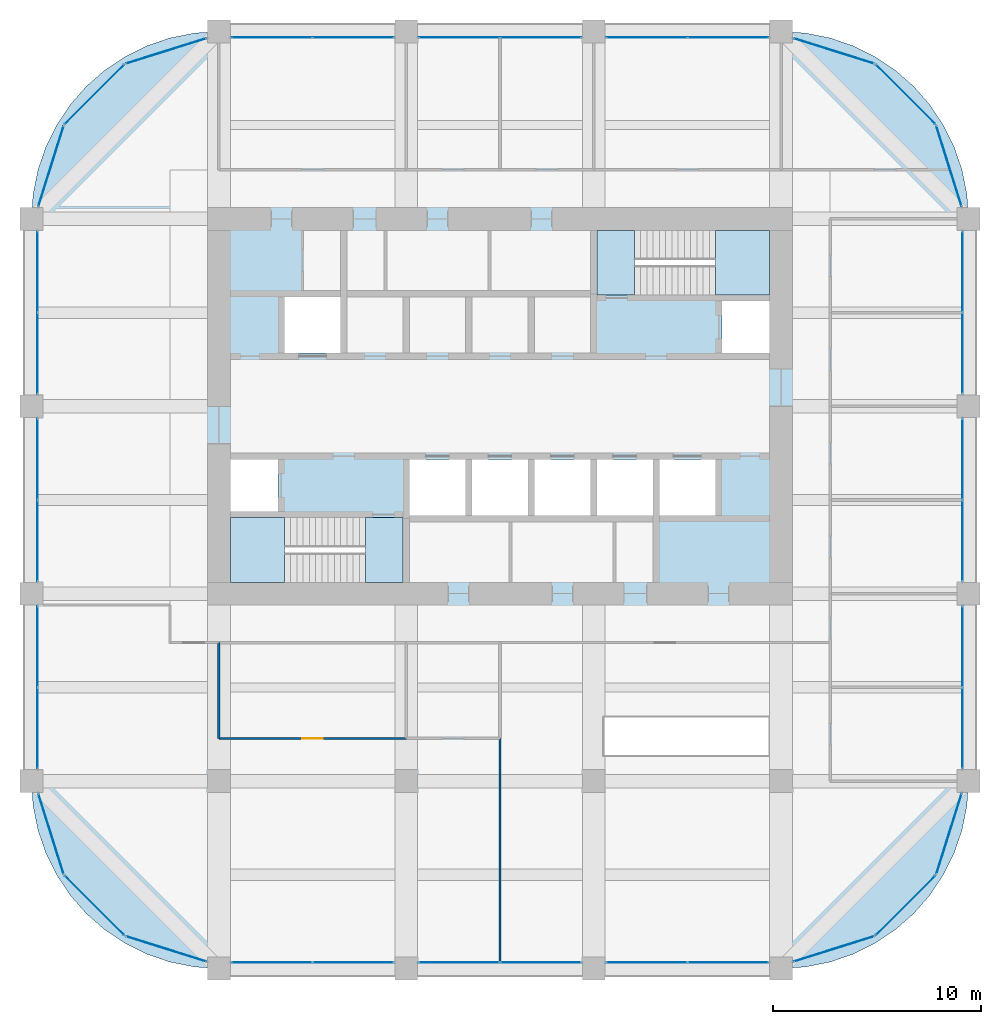
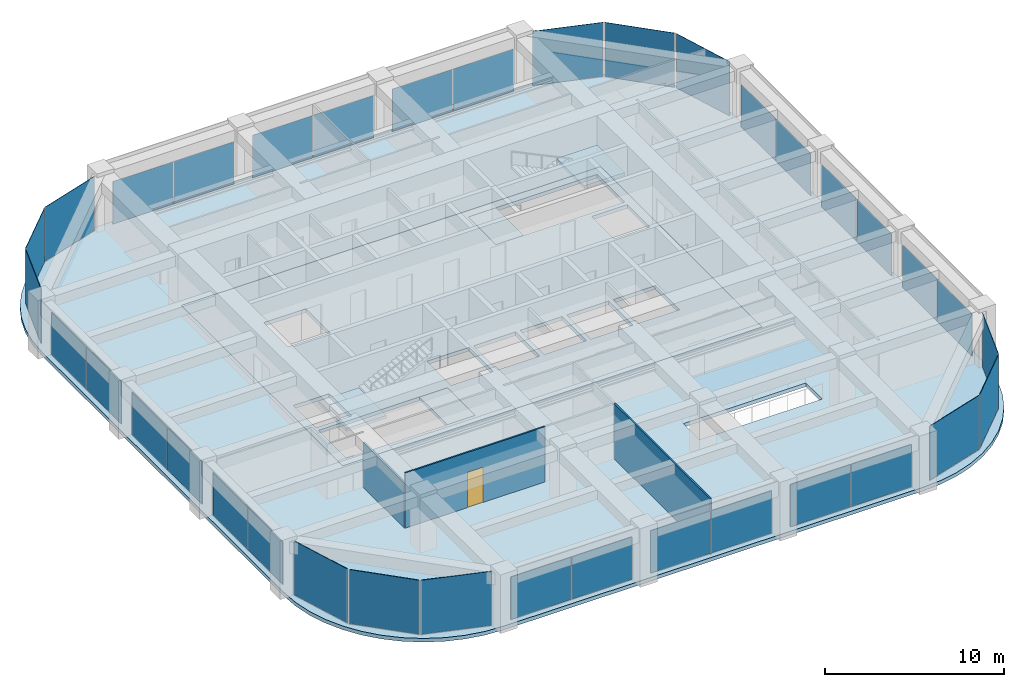
# One storey, part 40 of 44: 36 plates, 6 slabs, 3 walls, 1 door, 1 opening, 26 elements without a shape of their own.
"""IFC4 building model written with IfcOpenShell, lengths in metres."""

from ifc_helpers import new_model, si_unit, direction, frame, frame_2d, origin, origin_2d, place, context, subcontext, project, spatial, polyline, rectangle, outline, extrude, material, layer, layer_set, type_object, element, fill, aggregate, save


model = new_model("IFC4")

# Units and contexts
model_context = context("Model", 3, precision=1e-05, world=origin(), true_north=direction((0.0, 1.0)))
body_context = subcontext(model_context, "Body", "Model", "MODEL_VIEW")
ifc_project = project(units=[si_unit("LENGTHUNIT", "METRE"), si_unit("AREAUNIT", "SQUARE_METRE"), si_unit("VOLUMEUNIT", "CUBIC_METRE"), si_unit("PLANEANGLEUNIT", "RADIAN"), si_unit("MASSUNIT", "GRAM", prefix="KILO")], contexts=[model_context])

# Site, building, storey
site_placement = place(None, origin())
site = spatial("IfcSite", under=ifc_project, at=site_placement, CompositionType="ELEMENT")
building_placement = place(site_placement, origin())
building = spatial("IfcBuilding", under=site, at=building_placement, Name="Zorevar Civic Tower", CompositionType="ELEMENT")
storey_placement = place(building_placement, frame((0.0, 0.0, 255.39990234375)))
storey = spatial("IfcBuildingStorey", under=building, at=storey_placement, Name="L62", CompositionType="ELEMENT", Elevation=255.39990234375)

# Curtain wall, plates
ifc_material_1 = material(Name="Dark grey solar-control glass in black aluminium frame", Category="aluminium")
curtain_wall_type = type_object("IfcCurtainWallType", Name="Curtain wall CW5 top zone", PredefinedType="NOTDEFINED", material=ifc_material_1)
curtain_wall_1_placement = place(storey_placement, origin())
curtain_wall_1 = element("IfcCurtainWall", 1, at=curtain_wall_1_placement, inside=storey, type_object=curtain_wall_type, Name="CW5 L62", PredefinedType="NOTDEFINED")
ifc_material_2 = material(Name="Dark grey solar-control glass", Category="glass")
ifc_layer_1 = layer(ifc_material_2, 0.028076171875)
ifc_layer_set_1 = layer_set([ifc_layer_1], Name="CW5 panel 28")
plate_type = type_object("IfcPlateType", Name="CW5 panel 28", PredefinedType="CURTAIN_PANEL", material=ifc_layer_set_1)
plate_1_placement = place(storey_placement, frame((20.5400390625, 0.300048828125, 0.06005859375), z_axis=(0.0, 0.0, 1.0), x_axis=(1.0, 0.0, 0.0)))
plate_1 = element("IfcPlate", 2, at=plate_1_placement, type_object=plate_type, Name="CW5 panel 1.1", PredefinedType="CURTAIN_PANEL", context=body_context, shape_type="SweptSolid", body=[
    extrude(rectangle(XDim=3.860107421875, YDim=0.028076171875, at=origin_2d()), origin(), (0.0, 0.0, 1.0), 2.889892578125),
])
plate_2_placement = place(storey_placement, frame((24.4599609375, 0.300048828125, 0.06005859375), z_axis=(0.0, 0.0, 1.0), x_axis=(1.0, 0.0, 0.0)))
plate_2 = element("IfcPlate", 3, at=plate_2_placement, type_object=plate_type, Name="CW5 panel 2.1", PredefinedType="CURTAIN_PANEL", context=body_context, shape_type="SweptSolid", body=[
    extrude(rectangle(XDim=3.860107421875, YDim=0.028076171875, at=origin_2d()), origin(), (0.0, 0.0, 1.0), 2.889892578125),
])
aggregate(curtain_wall_1, [plate_1, plate_2])

curtain_wall_2_placement = place(storey_placement, origin())
curtain_wall_2 = element("IfcCurtainWall", 4, at=curtain_wall_2_placement, inside=storey, type_object=curtain_wall_type, Name="CW5 L62", PredefinedType="NOTDEFINED")
plate_3_placement = place(storey_placement, frame((20.5400390625, 44.699951171875, 0.06005859375), z_axis=(0.0, 0.0, 1.0), x_axis=(1.0, 0.0, 0.0)))
plate_3 = element("IfcPlate", 5, at=plate_3_placement, type_object=plate_type, Name="CW5 panel 1.1", PredefinedType="CURTAIN_PANEL", context=body_context, shape_type="SweptSolid", body=[
    extrude(rectangle(XDim=3.860107421875, YDim=0.028076171875, at=origin_2d()), origin(), (0.0, 0.0, 1.0), 2.889892578125),
])
plate_4_placement = place(storey_placement, frame((24.4599609375, 44.699951171875, 0.06005859375), z_axis=(0.0, 0.0, 1.0), x_axis=(1.0, 0.0, 0.0)))
plate_4 = element("IfcPlate", 6, at=plate_4_placement, type_object=plate_type, Name="CW5 panel 2.1", PredefinedType="CURTAIN_PANEL", context=body_context, shape_type="SweptSolid", body=[
    extrude(rectangle(XDim=3.860107421875, YDim=0.028076171875, at=origin_2d()), origin(), (0.0, 0.0, 1.0), 2.889892578125),
])
aggregate(curtain_wall_2, [plate_3, plate_4])

curtain_wall_3_placement = place(storey_placement, origin())
curtain_wall_3 = element("IfcCurtainWall", 7, at=curtain_wall_3_placement, inside=storey, type_object=curtain_wall_type, Name="CW5 L62", PredefinedType="NOTDEFINED")
plate_5_placement = place(storey_placement, frame((29.5400390625, 0.300048828125, 0.06005859375), z_axis=(0.0, 0.0, 1.0), x_axis=(1.0, 0.0, 0.0)))
plate_5 = element("IfcPlate", 8, at=plate_5_placement, type_object=plate_type, Name="CW5 panel 1.1", PredefinedType="CURTAIN_PANEL", context=body_context, shape_type="SweptSolid", body=[
    extrude(rectangle(XDim=3.860107421875, YDim=0.028076171875, at=origin_2d()), origin(), (0.0, 0.0, 1.0), 2.889892578125),
])
plate_6_placement = place(storey_placement, frame((33.4599609375, 0.300048828125, 0.06005859375), z_axis=(0.0, 0.0, 1.0), x_axis=(1.0, 0.0, 0.0)))
plate_6 = element("IfcPlate", 9, at=plate_6_placement, type_object=plate_type, Name="CW5 panel 2.1", PredefinedType="CURTAIN_PANEL", context=body_context, shape_type="SweptSolid", body=[
    extrude(rectangle(XDim=3.860107421875, YDim=0.028076171875, at=origin_2d()), origin(), (0.0, 0.0, 1.0), 2.889892578125),
])
aggregate(curtain_wall_3, [plate_5, plate_6])

curtain_wall_4_placement = place(storey_placement, origin())
curtain_wall_4 = element("IfcCurtainWall", 10, at=curtain_wall_4_placement, inside=storey, type_object=curtain_wall_type, Name="CW5 L62", PredefinedType="NOTDEFINED")
plate_7_placement = place(storey_placement, frame((29.5400390625, 44.699951171875, 0.06005859375), z_axis=(0.0, 0.0, 1.0), x_axis=(1.0, 0.0, 0.0)))
plate_7 = element("IfcPlate", 11, at=plate_7_placement, type_object=plate_type, Name="CW5 panel 1.1", PredefinedType="CURTAIN_PANEL", context=body_context, shape_type="SweptSolid", body=[
    extrude(rectangle(XDim=3.860107421875, YDim=0.028076171875, at=origin_2d()), origin(), (0.0, 0.0, 1.0), 2.889892578125),
])
plate_8_placement = place(storey_placement, frame((33.4599609375, 44.699951171875, 0.06005859375), z_axis=(0.0, 0.0, 1.0), x_axis=(1.0, 0.0, 0.0)))
plate_8 = element("IfcPlate", 12, at=plate_8_placement, type_object=plate_type, Name="CW5 panel 2.1", PredefinedType="CURTAIN_PANEL", context=body_context, shape_type="SweptSolid", body=[
    extrude(rectangle(XDim=3.860107421875, YDim=0.028076171875, at=origin_2d()), origin(), (0.0, 0.0, 1.0), 2.889892578125),
])
aggregate(curtain_wall_4, [plate_7, plate_8])

curtain_wall_5_placement = place(storey_placement, origin())
curtain_wall_5 = element("IfcCurtainWall", 13, at=curtain_wall_5_placement, inside=storey, type_object=curtain_wall_type, Name="CW5 L62", PredefinedType="NOTDEFINED")
plate_9_placement = place(storey_placement, frame((38.5400390625, 0.300048828125, 0.06005859375), z_axis=(0.0, 0.0, 1.0), x_axis=(1.0, 0.0, 0.0)))
plate_9 = element("IfcPlate", 14, at=plate_9_placement, type_object=plate_type, Name="CW5 panel 1.1", PredefinedType="CURTAIN_PANEL", context=body_context, shape_type="SweptSolid", body=[
    extrude(rectangle(XDim=3.860107421875, YDim=0.028076171875, at=origin_2d()), origin(), (0.0, 0.0, 1.0), 2.889892578125),
])
plate_10_placement = place(storey_placement, frame((42.4599609375, 0.300048828125, 0.06005859375), z_axis=(0.0, 0.0, 1.0), x_axis=(1.0, 0.0, 0.0)))
plate_10 = element("IfcPlate", 15, at=plate_10_placement, type_object=plate_type, Name="CW5 panel 2.1", PredefinedType="CURTAIN_PANEL", context=body_context, shape_type="SweptSolid", body=[
    extrude(rectangle(XDim=3.860107421875, YDim=0.028076171875, at=origin_2d()), origin(), (0.0, 0.0, 1.0), 2.889892578125),
])
aggregate(curtain_wall_5, [plate_9, plate_10])

curtain_wall_6_placement = place(storey_placement, origin())
curtain_wall_6 = element("IfcCurtainWall", 16, at=curtain_wall_6_placement, inside=storey, type_object=curtain_wall_type, Name="CW5 L62", PredefinedType="NOTDEFINED")
plate_11_placement = place(storey_placement, frame((38.5400390625, 44.699951171875, 0.06005859375), z_axis=(0.0, 0.0, 1.0), x_axis=(1.0, 0.0, 0.0)))
plate_11 = element("IfcPlate", 17, at=plate_11_placement, type_object=plate_type, Name="CW5 panel 1.1", PredefinedType="CURTAIN_PANEL", context=body_context, shape_type="SweptSolid", body=[
    extrude(rectangle(XDim=3.860107421875, YDim=0.028076171875, at=origin_2d()), origin(), (0.0, 0.0, 1.0), 2.889892578125),
])
plate_12_placement = place(storey_placement, frame((42.4599609375, 44.699951171875, 0.06005859375), z_axis=(0.0, 0.0, 1.0), x_axis=(1.0, 0.0, 0.0)))
plate_12 = element("IfcPlate", 18, at=plate_12_placement, type_object=plate_type, Name="CW5 panel 2.1", PredefinedType="CURTAIN_PANEL", context=body_context, shape_type="SweptSolid", body=[
    extrude(rectangle(XDim=3.860107421875, YDim=0.028076171875, at=origin_2d()), origin(), (0.0, 0.0, 1.0), 2.889892578125),
])
aggregate(curtain_wall_6, [plate_11, plate_12])

curtain_wall_7_placement = place(storey_placement, origin())
curtain_wall_7 = element("IfcCurtainWall", 19, at=curtain_wall_7_placement, inside=storey, type_object=curtain_wall_type, Name="CW5 L62", PredefinedType="NOTDEFINED")
plate_13_placement = place(storey_placement, frame((9.300048828125, 11.5400390625, 0.06005859375), z_axis=(0.0, 0.0, 1.0), x_axis=(0.0, 1.0, 0.0)))
plate_13 = element("IfcPlate", 20, at=plate_13_placement, type_object=plate_type, Name="CW5 panel 1.1", PredefinedType="CURTAIN_PANEL", context=body_context, shape_type="SweptSolid", body=[
    extrude(rectangle(XDim=3.860107421875, YDim=0.028076171875, at=origin_2d()), origin(), (0.0, 0.0, 1.0), 2.889892578125),
])
plate_14_placement = place(storey_placement, frame((9.300048828125, 15.4599609375, 0.06005859375), z_axis=(0.0, 0.0, 1.0), x_axis=(0.0, 1.0, 0.0)))
plate_14 = element("IfcPlate", 21, at=plate_14_placement, type_object=plate_type, Name="CW5 panel 2.1", PredefinedType="CURTAIN_PANEL", context=body_context, shape_type="SweptSolid", body=[
    extrude(rectangle(XDim=3.860107421875, YDim=0.028076171875, at=origin_2d()), origin(), (0.0, 0.0, 1.0), 2.889892578125),
])
aggregate(curtain_wall_7, [plate_13, plate_14])

curtain_wall_8_placement = place(storey_placement, origin())
curtain_wall_8 = element("IfcCurtainWall", 22, at=curtain_wall_8_placement, inside=storey, type_object=curtain_wall_type, Name="CW5 L62", PredefinedType="NOTDEFINED")
plate_15_placement = place(storey_placement, frame((53.699951171875, 11.5400390625, 0.06005859375), z_axis=(0.0, 0.0, 1.0), x_axis=(0.0, 1.0, 0.0)))
plate_15 = element("IfcPlate", 23, at=plate_15_placement, type_object=plate_type, Name="CW5 panel 1.1", PredefinedType="CURTAIN_PANEL", context=body_context, shape_type="SweptSolid", body=[
    extrude(rectangle(XDim=3.860107421875, YDim=0.028076171875, at=origin_2d()), origin(), (0.0, 0.0, 1.0), 2.889892578125),
])
plate_16_placement = place(storey_placement, frame((53.699951171875, 15.4599609375, 0.06005859375), z_axis=(0.0, 0.0, 1.0), x_axis=(0.0, 1.0, 0.0)))
plate_16 = element("IfcPlate", 24, at=plate_16_placement, type_object=plate_type, Name="CW5 panel 2.1", PredefinedType="CURTAIN_PANEL", context=body_context, shape_type="SweptSolid", body=[
    extrude(rectangle(XDim=3.860107421875, YDim=0.028076171875, at=origin_2d()), origin(), (0.0, 0.0, 1.0), 2.889892578125),
])
aggregate(curtain_wall_8, [plate_15, plate_16])

curtain_wall_9_placement = place(storey_placement, origin())
curtain_wall_9 = element("IfcCurtainWall", 25, at=curtain_wall_9_placement, inside=storey, type_object=curtain_wall_type, Name="CW5 L62", PredefinedType="NOTDEFINED")
plate_17_placement = place(storey_placement, frame((9.300048828125, 20.5400390625, 0.06005859375), z_axis=(0.0, 0.0, 1.0), x_axis=(0.0, 1.0, 0.0)))
plate_17 = element("IfcPlate", 26, at=plate_17_placement, type_object=plate_type, Name="CW5 panel 1.1", PredefinedType="CURTAIN_PANEL", context=body_context, shape_type="SweptSolid", body=[
    extrude(rectangle(XDim=3.860107421875, YDim=0.028076171875, at=origin_2d()), origin(), (0.0, 0.0, 1.0), 2.889892578125),
])
plate_18_placement = place(storey_placement, frame((9.300048828125, 24.4599609375, 0.06005859375), z_axis=(0.0, 0.0, 1.0), x_axis=(0.0, 1.0, 0.0)))
plate_18 = element("IfcPlate", 27, at=plate_18_placement, type_object=plate_type, Name="CW5 panel 2.1", PredefinedType="CURTAIN_PANEL", context=body_context, shape_type="SweptSolid", body=[
    extrude(rectangle(XDim=3.860107421875, YDim=0.028076171875, at=origin_2d()), origin(), (0.0, 0.0, 1.0), 2.889892578125),
])
aggregate(curtain_wall_9, [plate_17, plate_18])

curtain_wall_10_placement = place(storey_placement, origin())
curtain_wall_10 = element("IfcCurtainWall", 28, at=curtain_wall_10_placement, inside=storey, type_object=curtain_wall_type, Name="CW5 L62", PredefinedType="NOTDEFINED")
plate_19_placement = place(storey_placement, frame((53.699951171875, 20.5400390625, 0.06005859375), z_axis=(0.0, 0.0, 1.0), x_axis=(0.0, 1.0, 0.0)))
plate_19 = element("IfcPlate", 29, at=plate_19_placement, type_object=plate_type, Name="CW5 panel 1.1", PredefinedType="CURTAIN_PANEL", context=body_context, shape_type="SweptSolid", body=[
    extrude(rectangle(XDim=3.860107421875, YDim=0.028076171875, at=origin_2d()), origin(), (0.0, 0.0, 1.0), 2.889892578125),
])
plate_20_placement = place(storey_placement, frame((53.699951171875, 24.4599609375, 0.06005859375), z_axis=(0.0, 0.0, 1.0), x_axis=(0.0, 1.0, 0.0)))
plate_20 = element("IfcPlate", 30, at=plate_20_placement, type_object=plate_type, Name="CW5 panel 2.1", PredefinedType="CURTAIN_PANEL", context=body_context, shape_type="SweptSolid", body=[
    extrude(rectangle(XDim=3.860107421875, YDim=0.028076171875, at=origin_2d()), origin(), (0.0, 0.0, 1.0), 2.889892578125),
])
aggregate(curtain_wall_10, [plate_19, plate_20])

curtain_wall_11_placement = place(storey_placement, origin())
curtain_wall_11 = element("IfcCurtainWall", 31, at=curtain_wall_11_placement, inside=storey, type_object=curtain_wall_type, Name="CW5 L62", PredefinedType="NOTDEFINED")
plate_21_placement = place(storey_placement, frame((9.300048828125, 29.5400390625, 0.06005859375), z_axis=(0.0, 0.0, 1.0), x_axis=(0.0, 1.0, 0.0)))
plate_21 = element("IfcPlate", 32, at=plate_21_placement, type_object=plate_type, Name="CW5 panel 1.1", PredefinedType="CURTAIN_PANEL", context=body_context, shape_type="SweptSolid", body=[
    extrude(rectangle(XDim=3.860107421875, YDim=0.028076171875, at=origin_2d()), origin(), (0.0, 0.0, 1.0), 2.889892578125),
])
plate_22_placement = place(storey_placement, frame((9.300048828125, 33.4599609375, 0.06005859375), z_axis=(0.0, 0.0, 1.0), x_axis=(0.0, 1.0, 0.0)))
plate_22 = element("IfcPlate", 33, at=plate_22_placement, type_object=plate_type, Name="CW5 panel 2.1", PredefinedType="CURTAIN_PANEL", context=body_context, shape_type="SweptSolid", body=[
    extrude(rectangle(XDim=3.860107421875, YDim=0.028076171875, at=origin_2d()), origin(), (0.0, 0.0, 1.0), 2.889892578125),
])
aggregate(curtain_wall_11, [plate_21, plate_22])

curtain_wall_12_placement = place(storey_placement, origin())
curtain_wall_12 = element("IfcCurtainWall", 34, at=curtain_wall_12_placement, inside=storey, type_object=curtain_wall_type, Name="CW5 L62", PredefinedType="NOTDEFINED")
plate_23_placement = place(storey_placement, frame((53.699951171875, 29.5400390625, 0.06005859375), z_axis=(0.0, 0.0, 1.0), x_axis=(0.0, 1.0, 0.0)))
plate_23 = element("IfcPlate", 35, at=plate_23_placement, type_object=plate_type, Name="CW5 panel 1.1", PredefinedType="CURTAIN_PANEL", context=body_context, shape_type="SweptSolid", body=[
    extrude(rectangle(XDim=3.860107421875, YDim=0.028076171875, at=origin_2d()), origin(), (0.0, 0.0, 1.0), 2.889892578125),
])
plate_24_placement = place(storey_placement, frame((53.699951171875, 33.4599609375, 0.06005859375), z_axis=(0.0, 0.0, 1.0), x_axis=(0.0, 1.0, 0.0)))
plate_24 = element("IfcPlate", 36, at=plate_24_placement, type_object=plate_type, Name="CW5 panel 2.1", PredefinedType="CURTAIN_PANEL", context=body_context, shape_type="SweptSolid", body=[
    extrude(rectangle(XDim=3.860107421875, YDim=0.028076171875, at=origin_2d()), origin(), (0.0, 0.0, 1.0), 2.889892578125),
])
aggregate(curtain_wall_12, [plate_23, plate_24])

# Curtain wall, plate
curtain_wall_13_placement = place(storey_placement, origin())
curtain_wall_13 = element("IfcCurtainWall", 37, at=curtain_wall_13_placement, inside=storey, type_object=curtain_wall_type, Name="CW5 L62", PredefinedType="NOTDEFINED")
plate_25_placement = place(storey_placement, frame((47.52880859375, 0.938232421875, 0.06005859375), z_axis=(0.0, 0.0, 1.0), x_axis=(0.954153437674, 0.299317920238, 0.0)))
plate_25 = element("IfcPlate", 38, at=plate_25_placement, type_object=plate_type, Name="CW5 panel 1.1", PredefinedType="CURTAIN_PANEL", context=body_context, shape_type="SweptSolid", body=[
    extrude(rectangle(XDim=4.028076171875, YDim=0.028076171875, at=origin_2d()), origin(), (0.0, 0.0, 1.0), 3.68994140625),
])
aggregate(curtain_wall_13, [plate_25])

curtain_wall_14_placement = place(storey_placement, origin())
curtain_wall_14 = element("IfcCurtainWall", 39, at=curtain_wall_14_placement, inside=storey, type_object=curtain_wall_type, Name="CW5 L62", PredefinedType="NOTDEFINED")
plate_26_placement = place(storey_placement, frame((50.974365234375, 3.025634765625, 0.06005859375), z_axis=(0.0, 0.0, 1.0), x_axis=(0.707106781187, 0.707106781187, 0.0)))
plate_26 = element("IfcPlate", 40, at=plate_26_placement, type_object=plate_type, Name="CW5 panel 1.1", PredefinedType="CURTAIN_PANEL", context=body_context, shape_type="SweptSolid", body=[
    extrude(rectangle(XDim=4.028076171875, YDim=0.028076171875, at=origin_2d()), origin(), (0.0, 0.0, 1.0), 3.68994140625),
])
aggregate(curtain_wall_14, [plate_26])

curtain_wall_15_placement = place(storey_placement, origin())
curtain_wall_15 = element("IfcCurtainWall", 41, at=curtain_wall_15_placement, inside=storey, type_object=curtain_wall_type, Name="CW5 L62", PredefinedType="NOTDEFINED")
plate_27_placement = place(storey_placement, frame((53.061767578125, 6.47119140625, 0.06005859375), z_axis=(0.0, 0.0, 1.0), x_axis=(0.299317920238, 0.954153437674, 0.0)))
plate_27 = element("IfcPlate", 42, at=plate_27_placement, type_object=plate_type, Name="CW5 panel 1.1", PredefinedType="CURTAIN_PANEL", context=body_context, shape_type="SweptSolid", body=[
    extrude(rectangle(XDim=4.028076171875, YDim=0.028076171875, at=origin_2d()), origin(), (0.0, 0.0, 1.0), 3.68994140625),
])
aggregate(curtain_wall_15, [plate_27])

curtain_wall_16_placement = place(storey_placement, origin())
curtain_wall_16 = element("IfcCurtainWall", 43, at=curtain_wall_16_placement, inside=storey, type_object=curtain_wall_type, Name="CW5 L62", PredefinedType="NOTDEFINED")
plate_28_placement = place(storey_placement, frame((53.061767578125, 38.52880859375, 0.06005859375), z_axis=(0.0, 0.0, 1.0), x_axis=(-0.299317920238, 0.954153437674, 0.0)))
plate_28 = element("IfcPlate", 44, at=plate_28_placement, type_object=plate_type, Name="CW5 panel 1.1", PredefinedType="CURTAIN_PANEL", context=body_context, shape_type="SweptSolid", body=[
    extrude(rectangle(XDim=4.028076171875, YDim=0.028076171875, at=origin_2d()), origin(), (0.0, 0.0, 1.0), 3.68994140625),
])
aggregate(curtain_wall_16, [plate_28])

curtain_wall_17_placement = place(storey_placement, origin())
curtain_wall_17 = element("IfcCurtainWall", 45, at=curtain_wall_17_placement, inside=storey, type_object=curtain_wall_type, Name="CW5 L62", PredefinedType="NOTDEFINED")
plate_29_placement = place(storey_placement, frame((50.974365234375, 41.974365234375, 0.06005859375), z_axis=(0.0, 0.0, 1.0), x_axis=(-0.707106781187, 0.707106781187, 0.0)))
plate_29 = element("IfcPlate", 46, at=plate_29_placement, type_object=plate_type, Name="CW5 panel 1.1", PredefinedType="CURTAIN_PANEL", context=body_context, shape_type="SweptSolid", body=[
    extrude(rectangle(XDim=4.028076171875, YDim=0.028076171875, at=origin_2d()), origin(), (0.0, 0.0, 1.0), 3.68994140625),
])
aggregate(curtain_wall_17, [plate_29])

curtain_wall_18_placement = place(storey_placement, origin())
curtain_wall_18 = element("IfcCurtainWall", 47, at=curtain_wall_18_placement, inside=storey, type_object=curtain_wall_type, Name="CW5 L62", PredefinedType="NOTDEFINED")
plate_30_placement = place(storey_placement, frame((47.52880859375, 44.061767578125, 0.06005859375), z_axis=(0.0, 0.0, 1.0), x_axis=(-0.954153437674, 0.299317920238, 0.0)))
plate_30 = element("IfcPlate", 48, at=plate_30_placement, type_object=plate_type, Name="CW5 panel 1.1", PredefinedType="CURTAIN_PANEL", context=body_context, shape_type="SweptSolid", body=[
    extrude(rectangle(XDim=4.028076171875, YDim=0.028076171875, at=origin_2d()), origin(), (0.0, 0.0, 1.0), 3.68994140625),
])
aggregate(curtain_wall_18, [plate_30])

curtain_wall_19_placement = place(storey_placement, origin())
curtain_wall_19 = element("IfcCurtainWall", 49, at=curtain_wall_19_placement, inside=storey, type_object=curtain_wall_type, Name="CW5 L62", PredefinedType="NOTDEFINED")
plate_31_placement = place(storey_placement, frame((15.47119140625, 44.061767578125, 0.06005859375), z_axis=(0.0, 0.0, 1.0), x_axis=(-0.954153437674, -0.299317920238, 0.0)))
plate_31 = element("IfcPlate", 50, at=plate_31_placement, type_object=plate_type, Name="CW5 panel 1.1", PredefinedType="CURTAIN_PANEL", context=body_context, shape_type="SweptSolid", body=[
    extrude(rectangle(XDim=4.028076171875, YDim=0.028076171875, at=origin_2d()), origin(), (0.0, 0.0, 1.0), 3.68994140625),
])
aggregate(curtain_wall_19, [plate_31])

curtain_wall_20_placement = place(storey_placement, origin())
curtain_wall_20 = element("IfcCurtainWall", 51, at=curtain_wall_20_placement, inside=storey, type_object=curtain_wall_type, Name="CW5 L62", PredefinedType="NOTDEFINED")
plate_32_placement = place(storey_placement, frame((12.025634765625, 41.974365234375, 0.06005859375), z_axis=(0.0, 0.0, 1.0), x_axis=(-0.707106781187, -0.707106781187, 0.0)))
plate_32 = element("IfcPlate", 52, at=plate_32_placement, type_object=plate_type, Name="CW5 panel 1.1", PredefinedType="CURTAIN_PANEL", context=body_context, shape_type="SweptSolid", body=[
    extrude(rectangle(XDim=4.028076171875, YDim=0.028076171875, at=origin_2d()), origin(), (0.0, 0.0, 1.0), 3.68994140625),
])
aggregate(curtain_wall_20, [plate_32])

curtain_wall_21_placement = place(storey_placement, origin())
curtain_wall_21 = element("IfcCurtainWall", 53, at=curtain_wall_21_placement, inside=storey, type_object=curtain_wall_type, Name="CW5 L62", PredefinedType="NOTDEFINED")
plate_33_placement = place(storey_placement, frame((9.938232421875, 38.52880859375, 0.06005859375), z_axis=(0.0, 0.0, 1.0), x_axis=(-0.299317920238, -0.954153437674, 0.0)))
plate_33 = element("IfcPlate", 54, at=plate_33_placement, type_object=plate_type, Name="CW5 panel 1.1", PredefinedType="CURTAIN_PANEL", context=body_context, shape_type="SweptSolid", body=[
    extrude(rectangle(XDim=4.028076171875, YDim=0.028076171875, at=origin_2d()), origin(), (0.0, 0.0, 1.0), 3.68994140625),
])
aggregate(curtain_wall_21, [plate_33])

curtain_wall_22_placement = place(storey_placement, origin())
curtain_wall_22 = element("IfcCurtainWall", 55, at=curtain_wall_22_placement, inside=storey, type_object=curtain_wall_type, Name="CW5 L62", PredefinedType="NOTDEFINED")
plate_34_placement = place(storey_placement, frame((9.938232421875, 6.47119140625, 0.06005859375), z_axis=(0.0, 0.0, 1.0), x_axis=(0.299317920238, -0.954153437674, 0.0)))
plate_34 = element("IfcPlate", 56, at=plate_34_placement, type_object=plate_type, Name="CW5 panel 1.1", PredefinedType="CURTAIN_PANEL", context=body_context, shape_type="SweptSolid", body=[
    extrude(rectangle(XDim=4.028076171875, YDim=0.028076171875, at=origin_2d()), origin(), (0.0, 0.0, 1.0), 3.68994140625),
])
aggregate(curtain_wall_22, [plate_34])

curtain_wall_23_placement = place(storey_placement, origin())
curtain_wall_23 = element("IfcCurtainWall", 57, at=curtain_wall_23_placement, inside=storey, type_object=curtain_wall_type, Name="CW5 L62", PredefinedType="NOTDEFINED")
plate_35_placement = place(storey_placement, frame((12.025634765625, 3.025634765625, 0.06005859375), z_axis=(0.0, 0.0, 1.0), x_axis=(0.707106781187, -0.707106781187, 0.0)))
plate_35 = element("IfcPlate", 58, at=plate_35_placement, type_object=plate_type, Name="CW5 panel 1.1", PredefinedType="CURTAIN_PANEL", context=body_context, shape_type="SweptSolid", body=[
    extrude(rectangle(XDim=4.028076171875, YDim=0.028076171875, at=origin_2d()), origin(), (0.0, 0.0, 1.0), 3.68994140625),
])
aggregate(curtain_wall_23, [plate_35])

curtain_wall_24_placement = place(storey_placement, origin())
curtain_wall_24 = element("IfcCurtainWall", 59, at=curtain_wall_24_placement, inside=storey, type_object=curtain_wall_type, Name="CW5 L62", PredefinedType="NOTDEFINED")
plate_36_placement = place(storey_placement, frame((15.47119140625, 0.938232421875, 0.06005859375), z_axis=(0.0, 0.0, 1.0), x_axis=(0.954153437674, -0.299317920238, 0.0)))
plate_36 = element("IfcPlate", 60, at=plate_36_placement, type_object=plate_type, Name="CW5 panel 1.1", PredefinedType="CURTAIN_PANEL", context=body_context, shape_type="SweptSolid", body=[
    extrude(rectangle(XDim=4.028076171875, YDim=0.028076171875, at=origin_2d()), origin(), (0.0, 0.0, 1.0), 3.68994140625),
])
aggregate(curtain_wall_24, [plate_36])

# Slabs
ifc_material_3 = material(Name="Concrete C40/50", Category="concrete")
ifc_layer_2 = layer(ifc_material_3, 0.25)
ifc_layer_set_2 = layer_set([ifc_layer_2], Name="Floor slab 250")
slab_type_1 = type_object("IfcSlabType", Name="Floor slab 250", PredefinedType="FLOOR", material=ifc_layer_set_2)
slab_1_placement = place(storey_placement, frame((0.0, 0.0, -0.25)))
element("IfcSlab", 61, at=slab_1_placement, inside=storey, type_object=slab_type_1, Name="Floor slab L62", PredefinedType="FLOOR", context=body_context, shape_type="SweptSolid", body=[
    extrude(outline(polyline([(45.0, 0.0), (46.1748046875, 0.076904296875), (47.329345703125, 0.306640625), (48.444091796875, 0.68505859375), (49.5, 1.205810546875), (50.478759765625, 1.85986328125), (51.364013671875, 2.635986328125), (52.14013671875, 3.521240234375), (52.794189453125, 4.5), (53.31494140625, 5.555908203125), (53.693359375, 6.670654296875), (53.923095703125, 7.8251953125), (54.0, 9.0), (54.0, 36.0), (53.923095703125, 37.1748046875), (53.693359375, 38.329345703125), (53.31494140625, 39.444091796875), (52.794189453125, 40.5), (52.14013671875, 41.478759765625), (51.364013671875, 42.364013671875), (50.478759765625, 43.14013671875), (49.5, 43.794189453125), (48.444091796875, 44.31494140625), (47.329345703125, 44.693359375), (46.1748046875, 44.923095703125), (45.0, 45.0), (18.0, 45.0), (16.8251953125, 44.923095703125), (15.670654296875, 44.693359375), (14.555908203125, 44.31494140625), (13.5, 43.794189453125), (12.521240234375, 43.14013671875), (11.635986328125, 42.364013671875), (10.85986328125, 41.478759765625), (10.205810546875, 40.5), (9.68505859375, 39.444091796875), (9.306640625, 38.329345703125), (9.076904296875, 37.1748046875), (9.0, 36.0), (9.0, 9.0), (9.076904296875, 7.8251953125), (9.306640625, 6.670654296875), (9.68505859375, 5.555908203125), (10.205810546875, 4.5), (10.85986328125, 3.521240234375), (11.635986328125, 2.635986328125), (12.521240234375, 1.85986328125), (13.5, 1.205810546875), (14.555908203125, 0.68505859375), (15.670654296875, 0.306640625), (16.8251953125, 0.076904296875), (18.0, 0.0), (45.0, 0.0)]), holes=[polyline([(18.0, 18.0), (45.0, 18.0), (45.0, 36.0), (18.0, 36.0), (18.0, 18.0)]), polyline([(36.5, 10.25), (44.39990234375, 10.25), (44.39990234375, 12.050048828125), (36.5, 12.050048828125), (36.5, 10.25)])]), origin(), (0.0, 0.0, 1.0), 0.25),
])
slab_2_placement = place(storey_placement, frame((0.0, 0.0, -0.25)))
element("IfcSlab", 62, at=slab_2_placement, inside=storey, type_object=slab_type_1, Name="Core floor L62", PredefinedType="FLOOR", context=body_context, shape_type="SweptSolid", body=[
    extrude(outline(polyline([(18.0, 18.0), (45.0, 18.0), (45.0, 36.0), (18.0, 36.0), (18.0, 18.0)]), holes=[polyline([(18.550048828125, 18.550048828125), (26.85009765625, 18.550048828125), (26.85009765625, 21.64990234375), (18.550048828125, 21.64990234375), (18.550048828125, 18.550048828125)]), polyline([(36.14990234375, 32.35009765625), (44.449951171875, 32.35009765625), (44.449951171875, 35.449951171875), (36.14990234375, 35.449951171875), (36.14990234375, 32.35009765625)]), polyline([(18.550048828125, 21.949951171875), (20.85009765625, 21.949951171875), (20.85009765625, 24.449951171875), (18.550048828125, 24.449951171875), (18.550048828125, 21.949951171875)]), polyline([(42.14990234375, 29.550048828125), (44.449951171875, 29.550048828125), (44.449951171875, 32.050048828125), (42.14990234375, 32.050048828125), (42.14990234375, 29.550048828125)]), polyline([(27.14990234375, 21.75), (29.85009765625, 21.75), (29.85009765625, 24.449951171875), (27.14990234375, 24.449951171875), (27.14990234375, 21.75)]), polyline([(30.14990234375, 21.75), (32.85009765625, 21.75), (32.85009765625, 24.449951171875), (30.14990234375, 24.449951171875), (30.14990234375, 21.75)]), polyline([(33.14990234375, 21.75), (35.85009765625, 21.75), (35.85009765625, 24.449951171875), (33.14990234375, 24.449951171875), (33.14990234375, 21.75)]), polyline([(36.14990234375, 21.75), (38.85009765625, 21.75), (38.85009765625, 24.449951171875), (36.14990234375, 24.449951171875), (36.14990234375, 21.75)]), polyline([(39.14990234375, 21.75), (41.85009765625, 21.75), (41.85009765625, 24.449951171875), (39.14990234375, 24.449951171875), (39.14990234375, 21.75)]), polyline([(21.14990234375, 29.550048828125), (23.85009765625, 29.550048828125), (23.85009765625, 32.25), (21.14990234375, 32.25), (21.14990234375, 29.550048828125)])]), origin(), (0.0, 0.0, 1.0), 0.25),
])

# Stair, slabs
ifc_material_4 = material(Name="Precast concrete C40/50", Category="concrete")
stair_type = type_object("IfcStairType", Name="Stair ST 28R", PredefinedType="HALF_TURN_STAIR", material=ifc_material_4)
stair_1_placement = place(storey_placement, origin())
stair_1 = element("IfcStair", 63, at=stair_1_placement, inside=storey, type_object=stair_type, Name="Stair ST1 L62", PredefinedType="HALF_TURN_STAIR")
ifc_material_5 = material(Name="Concrete C40/50", Category="concrete")
ifc_layer_3 = layer(ifc_material_5, 0.199951171875)
ifc_layer_set_3 = layer_set([ifc_layer_3], Name="Stair landing 200")
slab_type_2 = type_object("IfcSlabType", Name="Stair landing 200", PredefinedType="LANDING", material=ifc_layer_set_3)
slab_3_placement = place(storey_placement, frame((0.0, 0.0, -0.199951171875)))
slab_3 = element("IfcSlab", 64, at=slab_3_placement, type_object=slab_type_2, Name="ST1 landing 1", PredefinedType="LANDING", context=body_context, shape_type="SweptSolid", body=[
    extrude(outline(polyline([(25.050048828125, 18.550048828125), (26.85009765625, 18.550048828125), (26.85009765625, 21.64990234375), (25.050048828125, 21.64990234375), (25.050048828125, 18.550048828125)])), origin(), (0.0, 0.0, 1.0), 0.199951171875),
])
slab_4_placement = place(storey_placement, frame((0.0, 0.0, 1.800048828125)))
slab_4 = element("IfcSlab", 65, at=slab_4_placement, type_object=slab_type_2, Name="ST1 landing 2", PredefinedType="LANDING", context=body_context, shape_type="SweptSolid", body=[
    extrude(outline(polyline([(18.550048828125, 18.550048828125), (21.14990234375, 18.550048828125), (21.14990234375, 21.64990234375), (18.550048828125, 21.64990234375), (18.550048828125, 18.550048828125)])), origin(), (0.0, 0.0, 1.0), 0.199951171875),
])
aggregate(stair_1, [slab_3, slab_4])

stair_2_placement = place(storey_placement, origin())
stair_2 = element("IfcStair", 66, at=stair_2_placement, inside=storey, type_object=stair_type, Name="Stair ST2 L62", PredefinedType="HALF_TURN_STAIR")
slab_5_placement = place(storey_placement, frame((0.0, 0.0, -0.199951171875)))
slab_5 = element("IfcSlab", 67, at=slab_5_placement, type_object=slab_type_2, Name="ST2 landing 1", PredefinedType="LANDING", context=body_context, shape_type="SweptSolid", body=[
    extrude(outline(polyline([(37.949951171875, 32.35009765625), (36.14990234375, 32.35009765625), (36.14990234375, 35.449951171875), (37.949951171875, 35.449951171875), (37.949951171875, 32.35009765625)])), origin(), (0.0, 0.0, 1.0), 0.199951171875),
])
slab_6_placement = place(storey_placement, frame((0.0, 0.0, 1.800048828125)))
slab_6 = element("IfcSlab", 68, at=slab_6_placement, type_object=slab_type_2, Name="ST2 landing 2", PredefinedType="LANDING", context=body_context, shape_type="SweptSolid", body=[
    extrude(outline(polyline([(44.449951171875, 32.35009765625), (41.85009765625, 32.35009765625), (41.85009765625, 35.449951171875), (44.449951171875, 35.449951171875), (44.449951171875, 32.35009765625)])), origin(), (0.0, 0.0, 1.0), 0.199951171875),
])
aggregate(stair_2, [slab_5, slab_6])

# Wall, opening, door
ifc_material_6 = material(Name="Laminated glass in black aluminium frame", Category="aluminium")
ifc_layer_4 = layer(ifc_material_6, 0.10009765625)
ifc_layer_set_4 = layer_set([ifc_layer_4], Name="Glazed partition 100")
wall_type_1 = type_object("IfcWallType", Name="Glazed partition 100", PredefinedType="PARTITIONING", material=ifc_layer_set_4)
wall_1_placement = place(storey_placement, frame((18.0, 11.050048828125, 0.0), z_axis=(0.0, 0.0, 1.0), x_axis=(1.0, 0.0, 0.0)))
wall_1 = element("IfcWall", 69, at=wall_1_placement, inside=storey, type_object=wall_type_1, Name="Glazed partition 100 L62", PredefinedType="PARTITIONING", context=body_context, shape_type="SweptSolid", body=[
    extrude(rectangle(XDim=9.0, YDim=0.10009765625, at=frame_2d((4.5, 0.0))), origin(), (0.0, 0.0, 1.0), 3.75),
])
opening_placement = place(wall_1_placement, frame((4.0, 0.0, 0.0)))
opening = element("IfcOpeningElement", 70, at=opening_placement, cuts=wall_1, Name="Opening L62.18", PredefinedType="OPENING", context=body_context, shape_type="SweptSolid", body=[
    extrude(rectangle(XDim=1.0, YDim=2.39990234375, at=frame_2d((0.5, 1.199951171875))), frame((0.0, 0.06005859375, 0.0), z_axis=(0.0, -1.0, 0.0), x_axis=(1.0, 0.0, 0.0)), (0.0, 0.0, 1.0), 0.1201171875),
])
ifc_material_7 = material(Name="Timber door set", Category="wood")
door_type = type_object("IfcDoorType", Name="Glazed door GD1 1000x2400", OperationType="SINGLE_SWING_LEFT", PredefinedType="DOOR", material=ifc_material_7)
door_placement = place(opening_placement, origin())
door = element("IfcDoor", 71, at=door_placement, inside=storey, type_object=door_type, Name="Door L62 D1", OperationType="SINGLE_SWING_RIGHT", OverallHeight=2.39990234375, OverallWidth=1.0, PredefinedType="DOOR", context=body_context, shape_type="SweptSolid", body=[
    extrude(rectangle(XDim=1.0, YDim=2.39990234375, at=frame_2d((0.5, 1.199951171875))), frame((0.0, 0.02001953125, 0.0), z_axis=(0.0, -1.0, 0.0), x_axis=(1.0, 0.0, 0.0)), (0.0, 0.0, 1.0), 0.0400390625),
])
fill(opening, door)

# Walls
wall_2_placement = place(storey_placement, frame((31.5, 0.31005859375, 0.0), z_axis=(0.0, 0.0, 1.0), x_axis=(0.0, 1.0, 0.0)))
element("IfcWall", 72, at=wall_2_placement, inside=storey, type_object=wall_type_1, Name="Glazed partition 100 L62", PredefinedType="PARTITIONING", context=body_context, shape_type="SweptSolid", body=[
    extrude(rectangle(XDim=10.739990234375, YDim=0.10009765625, at=frame_2d((5.3701171875, 0.0))), origin(), (0.0, 0.0, 1.0), 3.75),
])
ifc_material_8 = material(Name="Gypsum board on steel studs", Category="steel")
ifc_layer_5 = layer(ifc_material_8, 0.1201171875)
ifc_layer_set_5 = layer_set([ifc_layer_5], Name="Partition 120")
wall_type_2 = type_object("IfcWallType", Name="Partition 120", PredefinedType="PARTITIONING", material=ifc_layer_set_5)
wall_3_placement = place(storey_placement, frame((18.0, 11.050048828125, 0.0), z_axis=(0.0, 0.0, 1.0), x_axis=(0.0, 1.0, 0.0)))
element("IfcWall", 73, at=wall_3_placement, inside=storey, type_object=wall_type_2, Name="Partition 120 L62", PredefinedType="PARTITIONING", context=body_context, shape_type="SweptSolid", body=[
    extrude(rectangle(XDim=4.599853515625, YDim=0.1201171875, at=frame_2d((2.2998046875, 0.0))), origin(), (0.0, 0.0, 1.0), 3.050048828125),
])

save(model, "model.ifc")
